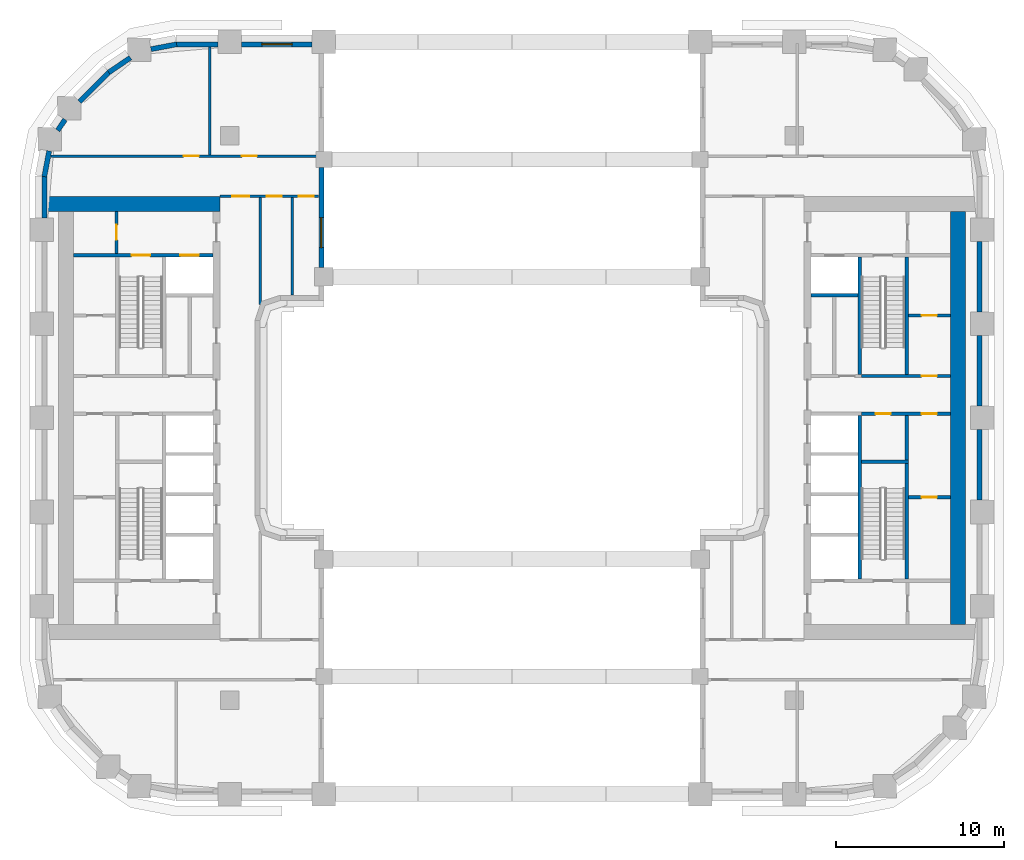
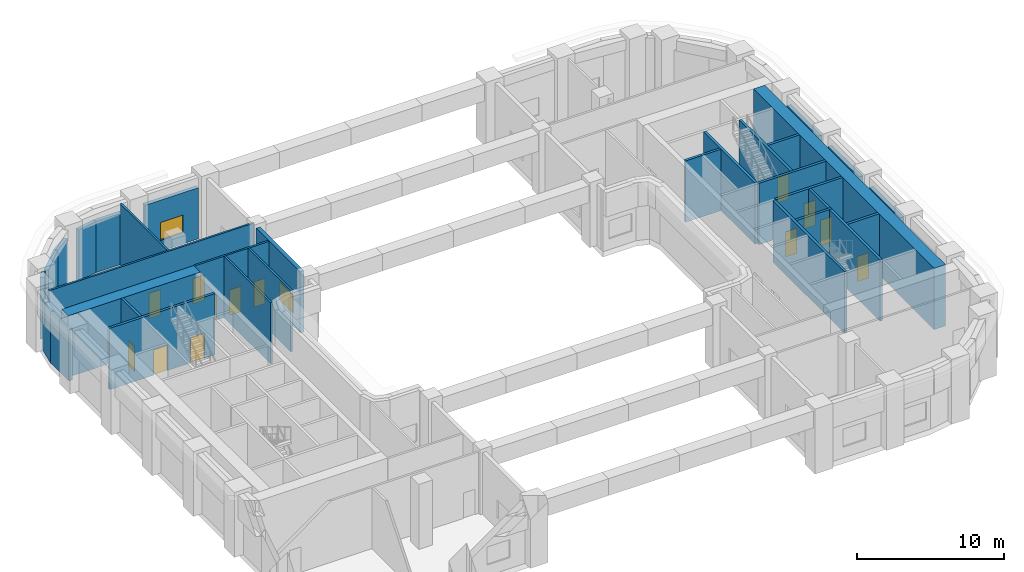
# One storey, part 5 of 14: 32 walls, 13 doors, 2 windows, 15 openings.
"""IFC4 building model written with IfcOpenShell, lengths in metres."""

import ifcopenshell
import ifcopenshell.guid

model = None  # the IFC model being written
_history = None  # IfcOwnerHistory: only IFC2X3 demands one
_inside = {}  # id of a spatial element -> (the spatial element, [elements in it])
_under = {}  # id of a project, library or spatial element -> (it, [spatial elements below it])
_declared = {}  # id of a project -> (the project, [libraries it declares])
_typed = {}  # id of a type object -> (the type object, [elements of that type])
_made_of = {}  # id of a material, layer set ... -> (it, [elements and type objects made of it])


def new_model(schema):
    """Start an empty IFC model of exactly this schema.

    Asked for "IFC4X3", IfcOpenShell would pick the latest addendum, in which some entities
    have other attributes; the version numbers below select the first issue.
    IFC2X3 requires an IfcOwnerHistory on every rooted entity: one is made here for all.
    """
    global model, _history
    if schema == "IFC4X3":
        model = ifcopenshell.file(schema_version=(4, 3, 0, 0))
    else:
        model = ifcopenshell.file(schema=schema)
    _inside.clear()
    _under.clear()
    _declared.clear()
    _typed.clear()
    _made_of.clear()
    _history = None
    if model.schema == "IFC2X3":
        org = make("IfcOrganization", Name="unknown")
        user = make(
            "IfcPersonAndOrganization",
            ThePerson=make("IfcPerson", FamilyName="unknown"),
            TheOrganization=org,
        )
        app = make(
            "IfcApplication",
            ApplicationDeveloper=org,
            Version="unknown",
            ApplicationFullName="unknown",
            ApplicationIdentifier="unknown",
        )
        _history = make(
            "IfcOwnerHistory",
            OwningUser=user,
            OwningApplication=app,
            ChangeAction="ADDED",
            CreationDate=0,
        )
    return model


def make(cls, **values):
    """One entity of the class cls with the attributes given. An attribute that is None is left unset."""
    return model.create_entity(
        cls, **{name: value for name, value in values.items() if value is not None}
    )


def rooted(cls, **values):
    """An entity with a GlobalId (a new one), such as an element, a storey or a relation."""
    return make(cls, GlobalId=ifcopenshell.guid.new(), OwnerHistory=_history, **values)


def si_unit(unit_type, name, prefix=None):
    """IfcSIUnit, for example si_unit("LENGTHUNIT", "METRE", prefix="MILLI")."""
    return make("IfcSIUnit", UnitType=unit_type, Prefix=prefix, Name=name)


def assignment(units):
    """IfcUnitAssignment: the units of a project."""
    return None if units is None else make("IfcUnitAssignment", Units=units)


def point(xyz):
    """IfcCartesianPoint."""
    return None if xyz is None else make("IfcCartesianPoint", Coordinates=xyz)


def direction(xyz):
    """IfcDirection."""
    return None if xyz is None else make("IfcDirection", DirectionRatios=xyz)


def frame(location, z_axis=None, x_axis=None):
    """IfcAxis2Placement3D, a coordinate frame: its origin and axes. An axis left out is left unset."""
    return make(
        "IfcAxis2Placement3D",
        Location=point(location),
        Axis=direction(z_axis),
        RefDirection=direction(x_axis),
    )


def frame_2d(location, x_axis=None):
    """IfcAxis2Placement2D, a coordinate frame in the plane: its origin and x axis."""
    return make(
        "IfcAxis2Placement2D", Location=point(location), RefDirection=direction(x_axis)
    )


def origin():
    """The frame at (0, 0, 0) with its axes left unset."""
    return frame((0.0, 0.0, 0.0))


def place(relative_to, where):
    """IfcLocalPlacement: puts the frame where relative to a parent placement (None: the world)."""
    return make(
        "IfcLocalPlacement", PlacementRelTo=relative_to, RelativePlacement=where
    )


def context(
    kind, dimensions, precision=None, world=None, true_north=None, identifier=None
):
    """IfcGeometricRepresentationContext, for example the 3D "Model" context."""
    return make(
        "IfcGeometricRepresentationContext",
        ContextIdentifier=identifier,
        ContextType=kind,
        CoordinateSpaceDimension=dimensions,
        Precision=precision,
        WorldCoordinateSystem=world,
        TrueNorth=true_north,
    )


def subcontext(parent, identifier, kind, view, scale=None):
    """IfcGeometricRepresentationSubContext, for example "Body" below "Model"."""
    return make(
        "IfcGeometricRepresentationSubContext",
        ContextIdentifier=identifier,
        ContextType=kind,
        ParentContext=parent,
        TargetScale=scale,
        TargetView=view,
    )


def project(units=None, contexts=None):
    """IfcProject with its units and contexts."""
    return rooted(
        "IfcProject",
        Name="project",
        RepresentationContexts=contexts,
        UnitsInContext=assignment(units),
    )


def spatial(cls, under=None, at=None, **own):
    """A site, building, storey or space (cls), placed at a placement, below another one or the project."""
    s = rooted(cls, ObjectPlacement=at, **own)
    if under is not None:
        _under.setdefault(under.id(), (under, []))[1].append(s)
    return s


def profile(cls, at=None, kind="AREA", **sizes):
    """A parametric profile (cls). Its sizes go by their IFC names, for example OverallWidth=200.0."""
    return make(cls, ProfileType=kind, Position=at, **sizes)


def rectangle(**sizes):
    """IfcRectangleProfileDef."""
    return profile("IfcRectangleProfileDef", **sizes)


def extrude(swept, where, along, depth):
    """IfcExtrudedAreaSolid: the profile swept, set in the frame where, extruded along a direction by depth."""
    return make(
        "IfcExtrudedAreaSolid",
        SweptArea=swept,
        Position=where,
        ExtrudedDirection=direction(along),
        Depth=depth,
    )


def shape(context_of_items, identifier, shape_type, items):
    """IfcShapeRepresentation: the items that make up one representation, for example the "Body"."""
    return make(
        "IfcShapeRepresentation",
        ContextOfItems=context_of_items,
        RepresentationIdentifier=identifier,
        RepresentationType=shape_type,
        Items=items,
    )


def material(Name=None, Category=None):
    """IfcMaterial."""
    return make("IfcMaterial", Name=Name, Category=Category)


def layer(
    of_material, thickness, ventilated=None, Name=None, Category=None, Priority=None
):
    """IfcMaterialLayer: one layer of a wall or slab, of a material (None: an air gap)."""
    return make(
        "IfcMaterialLayer",
        Material=of_material,
        LayerThickness=thickness,
        IsVentilated=ventilated,
        Name=Name,
        Category=Category,
        Priority=Priority,
    )


def layer_set(layers, Name=None):
    """IfcMaterialLayerSet."""
    return make("IfcMaterialLayerSet", MaterialLayers=layers, LayerSetName=Name)


def made_of(thing, what):
    """Note that an element or type object is made of a material, layer set ...; save() writes the relation."""
    if what is not None:
        _made_of.setdefault(what.id(), (what, []))[1].append(thing)
    return thing


def type_object(cls, material=None, **own):
    """A type object (cls), such as IfcWallType, which elements share."""
    return made_of(rooted(cls, **own), material)


def element(
    cls,
    number,
    at=None,
    inside=None,
    cuts=None,
    type_object=None,
    material=None,
    context=None,
    identifier="Body",
    shape_type=None,
    held_by="IfcProductDefinitionShape",
    body=None,
    shapes=None,
    **own,
):
    """One element of the class cls, such as IfcWall. Its Tag is "e" and its number.

    at: its placement. inside: the storey or other place that contains it. cuts: it is an
    opening in that element (IfcRelVoidsElement). A single representation is given by context,
    identifier, shape_type and body (its items); several are given by shapes. held_by: the class
    of the entity that holds the representations. save() writes the other relations.
    """
    e = rooted(cls, Tag="e%d" % number, ObjectPlacement=at, **own)
    if body is not None:
        shapes = [shape(context, identifier, shape_type, body)]
    if shapes is not None:
        e.Representation = make(held_by, Representations=shapes)
    if inside is not None:
        _inside.setdefault(inside.id(), (inside, []))[1].append(e)
    if cuts is not None:
        rooted(
            "IfcRelVoidsElement", RelatingBuildingElement=cuts, RelatedOpeningElement=e
        )
    if type_object is not None:
        _typed.setdefault(type_object.id(), (type_object, []))[1].append(e)
    return made_of(e, material)


def fill(opening, filler):
    """IfcRelFillsElement: the door or window that sits in an opening."""
    return rooted(
        "IfcRelFillsElement",
        RelatingOpeningElement=opening,
        RelatedBuildingElement=filler,
    )


def aggregate(whole, parts):
    """IfcRelAggregates: a whole, such as a stair, and the parts it consists of."""
    return rooted("IfcRelAggregates", RelatingObject=whole, RelatedObjects=parts)


def save(model, path):
    """Write the relations noted so far, then the file.

    IfcRelAggregates (storeys below a building ...), IfcRelContainedInSpatialStructure (elements
    in a storey), IfcRelDefinesByType, IfcRelAssociatesMaterial and IfcRelDeclares: one each for
    every whole, place, type object, material and project.
    """
    for whole, parts in _under.values():
        aggregate(whole, parts)
    for where, things in _inside.values():
        rooted(
            "IfcRelContainedInSpatialStructure",
            RelatedElements=things,
            RelatingStructure=where,
        )
    for kind, things in _typed.values():
        rooted("IfcRelDefinesByType", RelatedObjects=things, RelatingType=kind)
    for what, things in _made_of.values():
        rooted("IfcRelAssociatesMaterial", RelatedObjects=things, RelatingMaterial=what)
    for by, libraries in _declared.values():
        rooted("IfcRelDeclares", RelatingContext=by, RelatedDefinitions=libraries)
    model.write(path)


model = new_model("IFC4")

# Units and contexts
model_context = context("Model", 3, precision=1e-05, world=origin(), true_north=direction((0.0, 1.0)))
body_context = subcontext(model_context, "Body", "Model", "MODEL_VIEW")
ifc_project = project(units=[si_unit("LENGTHUNIT", "METRE"), si_unit("AREAUNIT", "SQUARE_METRE"), si_unit("VOLUMEUNIT", "CUBIC_METRE"), si_unit("PLANEANGLEUNIT", "RADIAN"), si_unit("MASSUNIT", "GRAM", prefix="KILO")], contexts=[model_context])

# Site, building, storey
site_placement = place(None, origin())
site = spatial("IfcSite", under=ifc_project, at=site_placement, CompositionType="ELEMENT")
building_placement = place(site_placement, origin())
building = spatial("IfcBuilding", under=site, at=building_placement, Name="Kiln Ring Residences", CompositionType="ELEMENT")
storey_placement = place(building_placement, frame((0.0, 0.0, 77.89990234375)))
storey = spatial("IfcBuildingStorey", under=building, at=storey_placement, Name="L19", CompositionType="ELEMENT", Elevation=77.89990234375)

# Wall, opening, door
ifc_material_1 = material(Name="Gypsum board on steel studs", Category="steel")
ifc_layer_1 = layer(ifc_material_1, 0.199951171875)
ifc_layer_set_1 = layer_set([ifc_layer_1], Name="CORE-PARTITION-200")
wall_type_1 = type_object("IfcWallType", Name="CORE-PARTITION-200", PredefinedType="PARTITIONING", material=ifc_layer_set_1)
wall_1_placement = place(storey_placement, frame((-23.550048828125, 9.800048828125, 0.0), z_axis=(0.0, 0.0, 1.0), x_axis=(0.0, 1.0, 0.0)))
wall_1 = element("IfcWall", 1, at=wall_1_placement, inside=storey, type_object=wall_type_1, Name="Core partition west L19 4", PredefinedType="PARTITIONING", context=body_context, shape_type="SweptSolid", body=[
    extrude(rectangle(XDim=2.5, YDim=0.199951171875, at=frame_2d((1.25, 0.0))), origin(), (0.0, 0.0, 1.0), 5.10009765625),
])
opening_1_placement = place(wall_1_placement, frame((0.800048828125, 0.0, 0.0)))
opening_1 = element("IfcOpeningElement", 2, at=opening_1_placement, cuts=wall_1, Name="Opening L19-CW10", PredefinedType="OPENING", context=body_context, shape_type="SweptSolid", body=[
    extrude(rectangle(XDim=0.89990234375, YDim=2.10009765625, at=frame_2d((0.449951171875, 1.050048828125))), frame((0.0, 0.10986328125, 0.0), z_axis=(0.0, -1.0, 0.0), x_axis=(1.0, 0.0, 0.0)), (0.0, 0.0, 1.0), 0.219970703125),
])
ifc_material_2 = material(Name="Steel door leaf", Category="steel")
door_type_1 = type_object("IfcDoorType", Name="CORE-DOOR-ROOM", OperationType="SINGLE_SWING_LEFT", PredefinedType="DOOR", material=ifc_material_2)
door_1_placement = place(opening_1_placement, origin())
door_1 = element("IfcDoor", 3, at=door_1_placement, inside=storey, type_object=door_type_1, Name="Fire riser room L19-CW10", OperationType="SINGLE_SWING_RIGHT", OverallHeight=2.10009765625, OverallWidth=0.89990234375, PredefinedType="DOOR", context=body_context, shape_type="SweptSolid", body=[
    extrude(rectangle(XDim=0.89990234375, YDim=2.10009765625, at=frame_2d((0.449951171875, 1.050048828125))), frame((0.0, 0.02490234375, 0.0), z_axis=(0.0, -1.0, 0.0), x_axis=(1.0, 0.0, 0.0)), (0.0, 0.0, 1.0), 0.050048828125),
])
fill(opening_1, door_1)

# Wall
wall_2_placement = place(storey_placement, frame((23.5, -2.5, 0.0), z_axis=(0.0, 0.0, 1.0), x_axis=(0.0, 1.0, 0.0)))
element("IfcWall", 4, at=wall_2_placement, inside=storey, type_object=wall_type_1, Name="Core partition east L19 1", PredefinedType="PARTITIONING", context=body_context, shape_type="SweptSolid", body=[
    extrude(rectangle(XDim=2.64990234375, YDim=0.199951171875, at=frame_2d((1.324951171875, 0.0))), origin(), (0.0, 0.0, 1.0), 5.10009765625),
])

# Wall, openings, doors
wall_3_placement = place(storey_placement, frame((20.800048828125, 0.25, 0.0), z_axis=(0.0, 0.0, 1.0), x_axis=(1.0, 0.0, 0.0)))
wall_3 = element("IfcWall", 5, at=wall_3_placement, inside=storey, type_object=wall_type_1, Name="Core partition east L19 2", PredefinedType="PARTITIONING", context=body_context, shape_type="SweptSolid", body=[
    extrude(rectangle(XDim=5.300048828125, YDim=0.199951171875, at=frame_2d((2.64990234375, 0.0))), origin(), (0.0, 0.0, 1.0), 5.10009765625),
])
opening_2_placement = place(wall_3_placement, frame((0.85009765625, 0.0, 0.0)))
opening_2 = element("IfcOpeningElement", 6, at=opening_2_placement, cuts=wall_3, Name="Opening L19-CE15", PredefinedType="OPENING", context=body_context, shape_type="SweptSolid", body=[
    extrude(rectangle(XDim=0.89990234375, YDim=2.10009765625, at=frame_2d((0.449951171875, 1.050048828125))), frame((0.0, 0.10986328125, 0.0), z_axis=(0.0, -1.0, 0.0), x_axis=(1.0, 0.0, 0.0)), (0.0, 0.0, 1.0), 0.219970703125),
])
opening_3_placement = place(wall_3_placement, frame((3.60009765625, 0.0, 0.0)))
opening_3 = element("IfcOpeningElement", 7, at=opening_3_placement, cuts=wall_3, Name="Opening L19-CE17", PredefinedType="OPENING", context=body_context, shape_type="SweptSolid", body=[
    extrude(rectangle(XDim=0.89990234375, YDim=2.10009765625, at=frame_2d((0.449951171875, 1.050048828125))), frame((0.0, 0.10986328125, 0.0), z_axis=(0.0, -1.0, 0.0), x_axis=(1.0, 0.0, 0.0)), (0.0, 0.0, 1.0), 0.219970703125),
])
door_2_placement = place(opening_2_placement, origin())
door_2 = element("IfcDoor", 8, at=door_2_placement, inside=storey, type_object=door_type_1, Name="Comms room L19-CE15", OperationType="SINGLE_SWING_RIGHT", OverallHeight=2.10009765625, OverallWidth=0.89990234375, PredefinedType="DOOR", context=body_context, shape_type="SweptSolid", body=[
    extrude(rectangle(XDim=0.89990234375, YDim=2.10009765625, at=frame_2d((0.449951171875, 1.050048828125))), frame((0.0, 0.02490234375, 0.0), z_axis=(0.0, -1.0, 0.0), x_axis=(1.0, 0.0, 0.0)), (0.0, 0.0, 1.0), 0.050048828125),
])
fill(opening_2, door_2)
door_3_placement = place(opening_3_placement, origin())
door_3 = element("IfcDoor", 9, at=door_3_placement, inside=storey, type_object=door_type_1, Name="Meter room L19-CE17", OperationType="SINGLE_SWING_RIGHT", OverallHeight=2.10009765625, OverallWidth=0.89990234375, PredefinedType="DOOR", context=body_context, shape_type="SweptSolid", body=[
    extrude(rectangle(XDim=0.89990234375, YDim=2.10009765625, at=frame_2d((0.449951171875, 1.050048828125))), frame((0.0, 0.02490234375, 0.0), z_axis=(0.0, -1.0, 0.0), x_axis=(1.0, 0.0, 0.0)), (0.0, 0.0, 1.0), 0.050048828125),
])
fill(opening_3, door_3)

# Wall, opening, door
wall_4_placement = place(storey_placement, frame((23.60009765625, -4.72509765625, 0.0), z_axis=(0.0, 0.0, 1.0), x_axis=(1.0, 0.0, 0.0)))
wall_4 = element("IfcWall", 10, at=wall_4_placement, inside=storey, type_object=wall_type_1, Name="Core partition east L19 6", PredefinedType="PARTITIONING", context=body_context, shape_type="SweptSolid", body=[
    extrude(rectangle(XDim=2.5, YDim=0.199951171875, at=frame_2d((1.25, 0.0))), origin(), (0.0, 0.0, 1.0), 5.10009765625),
])
opening_4_placement = place(wall_4_placement, frame((0.800048828125, 0.0, 0.0)))
opening_4 = element("IfcOpeningElement", 11, at=opening_4_placement, cuts=wall_4, Name="Opening L19-CE16", PredefinedType="OPENING", context=body_context, shape_type="SweptSolid", body=[
    extrude(rectangle(XDim=0.89990234375, YDim=2.10009765625, at=frame_2d((0.449951171875, 1.050048828125))), frame((0.0, 0.10986328125, 0.0), z_axis=(0.0, -1.0, 0.0), x_axis=(1.0, 0.0, 0.0)), (0.0, 0.0, 1.0), 0.219970703125),
])
door_4_placement = place(opening_4_placement, origin())
door_4 = element("IfcDoor", 12, at=door_4_placement, inside=storey, type_object=door_type_1, Name="Meter room L19-CE16", OperationType="SINGLE_SWING_RIGHT", OverallHeight=2.10009765625, OverallWidth=0.89990234375, PredefinedType="DOOR", context=body_context, shape_type="SweptSolid", body=[
    extrude(rectangle(XDim=0.89990234375, YDim=2.10009765625, at=frame_2d((0.449951171875, 1.050048828125))), frame((0.0, 0.02490234375, 0.0), z_axis=(0.0, -1.0, 0.0), x_axis=(1.0, 0.0, 0.0)), (0.0, 0.0, 1.0), 0.050048828125),
])
fill(opening_4, door_4)

wall_5_placement = place(storey_placement, frame((23.60009765625, 6.10009765625, 0.0), z_axis=(0.0, 0.0, 1.0), x_axis=(1.0, 0.0, 0.0)))
wall_5 = element("IfcWall", 13, at=wall_5_placement, inside=storey, type_object=wall_type_1, Name="Core partition east L19 7", PredefinedType="PARTITIONING", context=body_context, shape_type="SweptSolid", body=[
    extrude(rectangle(XDim=2.5, YDim=0.199951171875, at=frame_2d((1.25, 0.0))), origin(), (0.0, 0.0, 1.0), 5.10009765625),
])
opening_5_placement = place(wall_5_placement, frame((0.800048828125, 0.0, 0.0)))
opening_5 = element("IfcOpeningElement", 14, at=opening_5_placement, cuts=wall_5, Name="Opening L19-CE18", PredefinedType="OPENING", context=body_context, shape_type="SweptSolid", body=[
    extrude(rectangle(XDim=0.89990234375, YDim=2.10009765625, at=frame_2d((0.449951171875, 1.050048828125))), frame((0.0, 0.10986328125, 0.0), z_axis=(0.0, -1.0, 0.0), x_axis=(1.0, 0.0, 0.0)), (0.0, 0.0, 1.0), 0.219970703125),
])
door_5_placement = place(opening_5_placement, origin())
door_5 = element("IfcDoor", 15, at=door_5_placement, inside=storey, type_object=door_type_1, Name="Comms room L19-CE18", OperationType="SINGLE_SWING_RIGHT", OverallHeight=2.10009765625, OverallWidth=0.89990234375, PredefinedType="DOOR", context=body_context, shape_type="SweptSolid", body=[
    extrude(rectangle(XDim=0.89990234375, YDim=2.10009765625, at=frame_2d((0.449951171875, 1.050048828125))), frame((0.0, 0.02490234375, 0.0), z_axis=(0.0, -1.0, 0.0), x_axis=(1.0, 0.0, 0.0)), (0.0, 0.0, 1.0), 0.050048828125),
])
fill(opening_5, door_5)

# Wall
ifc_material_3 = material(Name="Gypsum shaft wall system")
ifc_layer_2 = layer(ifc_material_3, 0.199951171875)
ifc_layer_set_2 = layer_set([ifc_layer_2], Name="CORE-SHAFT-WALL-200")
wall_type_2 = type_object("IfcWallType", Name="CORE-SHAFT-WALL-200", PredefinedType="PARTITIONING", material=ifc_layer_set_2)
wall_6_placement = place(storey_placement, frame((17.800048828125, 7.300048828125, 0.0), z_axis=(0.0, 0.0, 1.0), x_axis=(1.0, 0.0, 0.0)))
element("IfcWall", 16, at=wall_6_placement, inside=storey, type_object=wall_type_2, Name="Core partition east L19 13", PredefinedType="PARTITIONING", context=body_context, shape_type="SweptSolid", body=[
    extrude(rectangle(XDim=2.800048828125, YDim=0.199951171875, at=frame_2d((1.39990234375, 0.0))), origin(), (0.0, 0.0, 1.0), 5.10009765625),
])

# Wall, openings, doors
ifc_material_4 = material(Name="Concrete C40/50", Category="concrete")
ifc_layer_3 = layer(ifc_material_4, 0.199951171875)
ifc_layer_set_3 = layer_set([ifc_layer_3], Name="CORE-WALL-RC200")
wall_type_3 = type_object("IfcWallType", Name="CORE-WALL-RC200", PredefinedType="SHEAR", material=ifc_layer_set_3)
wall_7_placement = place(storey_placement, frame((-17.800048828125, 9.699951171875, 0.0), z_axis=(0.0, 0.0, 1.0), x_axis=(-1.0, 0.0, 0.0)))
wall_7 = element("IfcWall", 17, at=wall_7_placement, inside=storey, type_object=wall_type_3, Name="Core wall west L19 9", PredefinedType="SHEAR", context=body_context, shape_type="SweptSolid", body=[
    extrude(rectangle(XDim=8.300048828125, YDim=0.199951171875, at=frame_2d((4.14990234375, 0.0))), origin(), (0.0, 0.0, 1.0), 5.10009765625),
])
opening_6_placement = place(wall_7_placement, frame((0.85009765625, 0.0, 0.0)))
opening_6 = element("IfcOpeningElement", 18, at=opening_6_placement, cuts=wall_7, Name="Opening L19-CW07", PredefinedType="OPENING", context=body_context, shape_type="SweptSolid", body=[
    extrude(rectangle(XDim=1.10009765625, YDim=2.10009765625, at=frame_2d((0.550048828125, 1.050048828125))), frame((0.0, 0.10986328125, 0.0), z_axis=(0.0, -1.0, 0.0), x_axis=(1.0, 0.0, 0.0)), (0.0, 0.0, 1.0), 0.219970703125),
])
opening_7_placement = place(wall_7_placement, frame((3.75, 0.0, 0.0)))
opening_7 = element("IfcOpeningElement", 19, at=opening_7_placement, cuts=wall_7, Name="Opening L19-CW12", PredefinedType="OPENING", context=body_context, shape_type="SweptSolid", body=[
    extrude(rectangle(XDim=1.10009765625, YDim=2.10009765625, at=frame_2d((0.550048828125, 1.050048828125))), frame((0.0, 0.10986328125, 0.0), z_axis=(0.0, -1.0, 0.0), x_axis=(1.0, 0.0, 0.0)), (0.0, 0.0, 1.0), 0.219970703125),
])
ifc_material_5 = material(Name="Steel door leaf", Category="steel")
door_type_2 = type_object("IfcDoorType", Name="CORE-DOOR-LD", OperationType="DOUBLE_DOOR_SLIDING", PredefinedType="DOOR", material=ifc_material_5)
door_6_placement = place(opening_6_placement, origin())
door_6 = element("IfcDoor", 20, at=door_6_placement, inside=storey, type_object=door_type_2, Name="LD W-FF L19-CW07", OperationType="DOUBLE_DOOR_SLIDING", OverallHeight=2.10009765625, OverallWidth=1.10009765625, PredefinedType="DOOR", context=body_context, shape_type="SweptSolid", body=[
    extrude(rectangle(XDim=1.10009765625, YDim=2.10009765625, at=frame_2d((0.550048828125, 1.050048828125))), frame((0.0, 0.02490234375, 0.0), z_axis=(0.0, -1.0, 0.0), x_axis=(1.0, 0.0, 0.0)), (0.0, 0.0, 1.0), 0.050048828125),
])
fill(opening_6, door_6)
ifc_material_6 = material(Name="Steel door leaf", Category="steel")
door_type_3 = type_object("IfcDoorType", Name="CORE-DOOR-STAIR", OperationType="SINGLE_SWING_LEFT", PredefinedType="DOOR", material=ifc_material_6)
door_7_placement = place(opening_7_placement, origin())
door_7 = element("IfcDoor", 21, at=door_7_placement, inside=storey, type_object=door_type_3, Name="Stair W-STN L19-CW12", OperationType="SINGLE_SWING_RIGHT", OverallHeight=2.10009765625, OverallWidth=1.10009765625, PredefinedType="DOOR", context=body_context, shape_type="SweptSolid", body=[
    extrude(rectangle(XDim=1.10009765625, YDim=2.10009765625, at=frame_2d((0.550048828125, 1.050048828125))), frame((0.0, 0.02490234375, 0.0), z_axis=(0.0, -1.0, 0.0), x_axis=(1.0, 0.0, 0.0)), (0.0, 0.0, 1.0), 0.050048828125),
])
fill(opening_7, door_7)

# Walls
wall_8_placement = place(storey_placement, frame((20.699951171875, 2.60009765625, 0.0), z_axis=(0.0, 0.0, 1.0), x_axis=(0.0, 1.0, 0.0)))
element("IfcWall", 22, at=wall_8_placement, inside=storey, type_object=wall_type_3, Name="Core wall east L19 1", PredefinedType="SHEAR", context=body_context, shape_type="SweptSolid", body=[
    extrude(rectangle(XDim=7.0, YDim=0.199951171875, at=frame_2d((3.5, 0.0))), origin(), (0.0, 0.0, 1.0), 5.10009765625),
])
wall_9_placement = place(storey_placement, frame((20.699951171875, -9.60009765625, 0.0), z_axis=(0.0, 0.0, 1.0), x_axis=(0.0, 1.0, 0.0)))
element("IfcWall", 23, at=wall_9_placement, inside=storey, type_object=wall_type_3, Name="Core wall east L19 2", PredefinedType="SHEAR", context=body_context, shape_type="SweptSolid", body=[
    extrude(rectangle(XDim=9.75, YDim=0.199951171875, at=frame_2d((4.875, 0.0))), origin(), (0.0, 0.0, 1.0), 5.10009765625),
])

# Wall, opening, door
wall_10_placement = place(storey_placement, frame((20.800048828125, 2.5, 0.0), z_axis=(0.0, 0.0, 1.0), x_axis=(1.0, 0.0, 0.0)))
wall_10 = element("IfcWall", 24, at=wall_10_placement, inside=storey, type_object=wall_type_3, Name="Core wall east L19 3", PredefinedType="SHEAR", context=body_context, shape_type="SweptSolid", body=[
    extrude(rectangle(XDim=5.300048828125, YDim=0.199951171875, at=frame_2d((2.64990234375, 0.0))), origin(), (0.0, 0.0, 1.0), 5.10009765625),
])
opening_8_placement = place(wall_10_placement, frame((3.60009765625, 0.0, 0.0)))
opening_8 = element("IfcOpeningElement", 25, at=opening_8_placement, cuts=wall_10, Name="Opening L19-CE19", PredefinedType="OPENING", context=body_context, shape_type="SweptSolid", body=[
    extrude(rectangle(XDim=0.89990234375, YDim=2.10009765625, at=frame_2d((0.449951171875, 1.050048828125))), frame((0.0, 0.10986328125, 0.0), z_axis=(0.0, -1.0, 0.0), x_axis=(1.0, 0.0, 0.0)), (0.0, 0.0, 1.0), 0.219970703125),
])
door_8_placement = place(opening_8_placement, origin())
door_8 = element("IfcDoor", 26, at=door_8_placement, inside=storey, type_object=door_type_1, Name="Electrical plant room L19-CE19", OperationType="SINGLE_SWING_LEFT", OverallHeight=2.10009765625, OverallWidth=0.89990234375, PredefinedType="DOOR", context=body_context, shape_type="SweptSolid", body=[
    extrude(rectangle(XDim=0.89990234375, YDim=2.10009765625, at=frame_2d((0.449951171875, 1.050048828125))), frame((0.0, 0.02490234375, 0.0), z_axis=(0.0, -1.0, 0.0), x_axis=(1.0, 0.0, 0.0)), (0.0, 0.0, 1.0), 0.050048828125),
])
fill(opening_8, door_8)

# Walls
wall_11_placement = place(storey_placement, frame((23.5, 2.60009765625, 0.0), z_axis=(0.0, 0.0, 1.0), x_axis=(0.0, 1.0, 0.0)))
element("IfcWall", 27, at=wall_11_placement, inside=storey, type_object=wall_type_3, Name="Core wall east L19 10", PredefinedType="SHEAR", context=body_context, shape_type="SweptSolid", body=[
    extrude(rectangle(XDim=7.0, YDim=0.199951171875, at=frame_2d((3.5, 0.0))), origin(), (0.0, 0.0, 1.0), 5.10009765625),
])
wall_12_placement = place(storey_placement, frame((23.5, -9.60009765625, 0.0), z_axis=(0.0, 0.0, 1.0), x_axis=(0.0, 1.0, 0.0)))
element("IfcWall", 28, at=wall_12_placement, inside=storey, type_object=wall_type_3, Name="Core wall east L19 11", PredefinedType="SHEAR", context=body_context, shape_type="SweptSolid", body=[
    extrude(rectangle(XDim=6.900146484375, YDim=0.199951171875, at=frame_2d((3.4501953125, 0.0))), origin(), (0.0, 0.0, 1.0), 5.10009765625),
])
wall_13_placement = place(storey_placement, frame((20.800048828125, -2.60009765625, 0.0), z_axis=(0.0, 0.0, 1.0), x_axis=(1.0, 0.0, 0.0)))
element("IfcWall", 29, at=wall_13_placement, inside=storey, type_object=wall_type_3, Name="Core wall east L19 12", PredefinedType="SHEAR", context=body_context, shape_type="SweptSolid", body=[
    extrude(rectangle(XDim=2.800048828125, YDim=0.199951171875, at=frame_2d((1.39990234375, 0.0))), origin(), (0.0, 0.0, 1.0), 5.10009765625),
])
ifc_material_7 = material(Name="Concrete C60/75", Category="concrete")
ifc_layer_4 = layer(ifc_material_7, 0.89990234375)
ifc_layer_set_4 = layer_set([ifc_layer_4], Name="CORE-WALL-RC900")
wall_type_4 = type_object("IfcWallType", Name="CORE-WALL-RC900", PredefinedType="SHEAR", material=ifc_layer_set_4)
wall_14_placement = place(storey_placement, frame((-17.39990234375, 12.75, 0.0), z_axis=(0.0, 0.0, 1.0), x_axis=(-1.0, 0.0, 0.0)))
element("IfcWall", 30, at=wall_14_placement, inside=storey, type_object=wall_type_4, Name="Core wall west L19 4", PredefinedType="SHEAR", context=body_context, shape_type="SweptSolid", body=[
    extrude(rectangle(XDim=10.400146484375, YDim=0.89990234375, at=frame_2d((5.2001953125, 0.0))), origin(), (0.0, 0.0, 1.0), 5.10009765625),
])
wall_15_placement = place(storey_placement, frame((26.550048828125, -12.300048828125, 0.0), z_axis=(0.0, 0.0, 1.0), x_axis=(0.0, 1.0, 0.0)))
element("IfcWall", 31, at=wall_15_placement, inside=storey, type_object=wall_type_4, Name="Core wall east L19 7", PredefinedType="SHEAR", context=body_context, shape_type="SweptSolid", body=[
    extrude(rectangle(XDim=24.60009765625, YDim=0.89990234375, at=frame_2d((12.300048828125, 0.0))), origin(), (0.0, 0.0, 1.0), 5.10009765625),
])

# Wall, opening, window
ifc_material_8 = material(Name="Brick masonry, dark clay brick", Category="masonry")
ifc_layer_5 = layer(ifc_material_8, 0.300048828125)
ifc_layer_set_5 = layer_set([ifc_layer_5], Name="EW-300 BRICK WALL")
wall_type_5 = type_object("IfcWallType", Name="EW-300 BRICK WALL", PredefinedType="SOLIDWALL", material=ifc_layer_set_5)
wall_16_placement = place(storey_placement, frame((-11.35009765625, 8.949951171875, 0.0), z_axis=(0.0, 0.0, 1.0), x_axis=(0.0, 1.0, 0.0)))
wall_16 = element("IfcWall", 32, at=wall_16_placement, inside=storey, type_object=wall_type_5, Name="Facade wall L19 15", PredefinedType="SOLIDWALL", context=body_context, shape_type="SweptSolid", body=[
    extrude(rectangle(XDim=5.97509765625, YDim=0.300048828125, at=frame_2d((2.987548828125, 0.0))), origin(), (0.0, 0.0, 1.0), 5.10009765625),
])
opening_9_placement = place(wall_16_placement, frame((1.1875, 0.0, 0.89990234375)))
opening_9 = element("IfcOpeningElement", 33, at=opening_9_placement, cuts=wall_16, Name="Opening LV1", PredefinedType="OPENING", context=body_context, shape_type="SweptSolid", body=[
    extrude(rectangle(XDim=1.800048828125, YDim=1.5, at=frame_2d((0.89990234375, 0.75))), frame((0.0, 0.159912109375, 0.0), z_axis=(0.0, -1.0, 0.0), x_axis=(1.0, 0.0, 0.0)), (0.0, 0.0, 1.0), 0.320068359375),
])
ifc_material_9 = material(Name="Aluminium louvre", Category="aluminium")
window_type = type_object("IfcWindowType", Name="LOUVRED VENT 1800 x 1500", PartitioningType="SINGLE_PANEL", PredefinedType="WINDOW", material=ifc_material_9)
window_1_placement = place(opening_9_placement, origin())
window_1 = element("IfcWindow", 34, at=window_1_placement, inside=storey, type_object=window_type, Name="Louvred vent L19 6", OverallHeight=1.5, OverallWidth=1.800048828125, PartitioningType="SINGLE_PANEL", PredefinedType="WINDOW", context=body_context, shape_type="SweptSolid", body=[
    extrude(rectangle(XDim=1.800048828125, YDim=1.5, at=frame_2d((0.89990234375, 0.75))), frame((0.0, 0.030029296875, 0.0), z_axis=(0.0, -1.0, 0.0), x_axis=(1.0, 0.0, 0.0)), (0.0, 0.0, 1.0), 0.06005859375),
])
fill(opening_9, window_1)

wall_17_placement = place(storey_placement, frame((-11.89990234375, 22.25, 0.0), z_axis=(0.0, 0.0, 1.0), x_axis=(-1.0, 0.0, 0.0)))
wall_17 = element("IfcWall", 35, at=wall_17_placement, inside=storey, type_object=wall_type_5, Name="Facade wall L19 17", PredefinedType="SOLIDWALL", context=body_context, shape_type="SweptSolid", body=[
    extrude(rectangle(XDim=4.2001953125, YDim=0.300048828125, at=frame_2d((2.10009765625, 0.0))), origin(), (0.0, 0.0, 1.0), 4.25),
])
opening_10_placement = place(wall_17_placement, frame((1.199951171875, 0.0, 0.89990234375)))
opening_10 = element("IfcOpeningElement", 36, at=opening_10_placement, cuts=wall_17, Name="Opening LV1", PredefinedType="OPENING", context=body_context, shape_type="SweptSolid", body=[
    extrude(rectangle(XDim=1.800048828125, YDim=1.5, at=frame_2d((0.89990234375, 0.75))), frame((0.0, 0.159912109375, 0.0), z_axis=(0.0, -1.0, 0.0), x_axis=(1.0, 0.0, 0.0)), (0.0, 0.0, 1.0), 0.320068359375),
])
window_2_placement = place(opening_10_placement, origin())
window_2 = element("IfcWindow", 37, at=window_2_placement, inside=storey, type_object=window_type, Name="Louvred vent L19 8", OverallHeight=1.5, OverallWidth=1.800048828125, PartitioningType="SINGLE_PANEL", PredefinedType="WINDOW", context=body_context, shape_type="SweptSolid", body=[
    extrude(rectangle(XDim=1.800048828125, YDim=1.5, at=frame_2d((0.89990234375, 0.75))), frame((0.0, 0.030029296875, 0.0), z_axis=(0.0, -1.0, 0.0), x_axis=(1.0, 0.0, 0.0)), (0.0, 0.0, 1.0), 0.06005859375),
])
fill(opening_10, window_2)

# Walls
wall_18_placement = place(storey_placement, frame((-17.5, 22.25, 0.0), z_axis=(0.0, 0.0, 1.0), x_axis=(-1.0, 0.0, 0.0)))
element("IfcWall", 38, at=wall_18_placement, inside=storey, type_object=wall_type_5, Name="Facade wall L19 18", PredefinedType="SOLIDWALL", context=body_context, shape_type="SweptSolid", body=[
    extrude(rectangle(XDim=2.5, YDim=0.300048828125, at=frame_2d((1.25, 0.0))), origin(), (0.0, 0.0, 1.0), 4.25),
])
wall_19_placement = place(storey_placement, frame((-19.971923828125, 22.252685546875, 0.0), z_axis=(0.0, 0.0, 1.0), x_axis=(-0.982297345734, -0.187328386968, 0.0)))
element("IfcWall", 39, at=wall_19_placement, inside=storey, type_object=wall_type_5, Name="Facade wall L19 19", PredefinedType="SOLIDWALL", context=body_context, shape_type="SweptSolid", body=[
    extrude(rectangle(XDim=1.55615234375, YDim=0.300048828125, at=frame_2d((0.778076171875, 0.0))), origin(), (0.0, 0.0, 1.0), 4.25),
])
wall_20_placement = place(storey_placement, frame((-22.725830078125, 21.45361328125, 0.0), z_axis=(0.0, 0.0, 1.0), x_axis=(-0.827019875346, -0.562172683241, 0.0)))
element("IfcWall", 40, at=wall_20_placement, inside=storey, type_object=wall_type_5, Name="Facade wall L19 20", PredefinedType="SOLIDWALL", context=body_context, shape_type="SweptSolid", body=[
    extrude(rectangle(XDim=1.555908203125, YDim=0.300048828125, at=frame_2d((0.77783203125, 0.0))), origin(), (0.0, 0.0, 1.0), 4.25),
])
wall_21_placement = place(storey_placement, frame((-23.990966796875, 20.596923828125, 0.0), z_axis=(0.0, 0.0, 1.0), x_axis=(-0.707106781187, -0.707106781187, 0.0)))
element("IfcWall", 41, at=wall_21_placement, inside=storey, type_object=wall_type_5, Name="Facade wall L19 21", PredefinedType="SOLIDWALL", context=body_context, shape_type="SweptSolid", body=[
    extrude(rectangle(XDim=2.5, YDim=0.300048828125, at=frame_2d((1.25, 0.0))), origin(), (0.0, 0.0, 1.0), 4.25),
])
wall_22_placement = place(storey_placement, frame((-26.61669921875, 17.7685546875, 0.0), z_axis=(0.0, 0.0, 1.0), x_axis=(-0.562000651531, -0.827136788977, 0.0)))
element("IfcWall", 42, at=wall_22_placement, inside=storey, type_object=wall_type_5, Name="Facade wall L19 22", PredefinedType="SOLIDWALL", context=body_context, shape_type="SweptSolid", body=[
    extrude(rectangle(XDim=0.777099609375, YDim=0.300048828125, at=frame_2d((0.388671875, 0.0))), origin(), (0.0, 0.0, 1.0), 5.10009765625),
])
wall_23_placement = place(storey_placement, frame((-27.56103515625, 15.900390625, 0.0), z_axis=(0.0, 0.0, 1.0), x_axis=(-0.187328386968, -0.982297345734, 0.0)))
element("IfcWall", 43, at=wall_23_placement, inside=storey, type_object=wall_type_5, Name="Facade wall L19 23", PredefinedType="SOLIDWALL", context=body_context, shape_type="SweptSolid", body=[
    extrude(rectangle(XDim=1.55615234375, YDim=0.300048828125, at=frame_2d((0.778076171875, 0.0))), origin(), (0.0, 0.0, 1.0), 4.25),
])
wall_24_placement = place(storey_placement, frame((-27.85009765625, 14.39990234375, 0.0), z_axis=(0.0, 0.0, 1.0), x_axis=(0.0, -1.0, 0.0)))
element("IfcWall", 44, at=wall_24_placement, inside=storey, type_object=wall_type_5, Name="Facade wall L19 24", PredefinedType="SOLIDWALL", context=body_context, shape_type="SweptSolid", body=[
    extrude(rectangle(XDim=2.5, YDim=0.300048828125, at=frame_2d((1.25, 0.0))), origin(), (0.0, 0.0, 1.0), 4.25),
])
for number, where, z_axis, x_axis, name in (
    (45, (27.85009765625, -4.89990234375, 0.0), (0.0, 0.0, 1.0), (0.0, 1.0, 0.0), "Facade wall L19 43"),
    (46, (27.85009765625, 0.699951171875, 0.0), (0.0, 0.0, 1.0), (0.0, 1.0, 0.0), "Facade wall L19 44"),
    (47, (27.85009765625, 6.300048828125, 0.0), (0.0, 0.0, 1.0), (0.0, 1.0, 0.0), "Facade wall L19 45"),
):
    element("IfcWall", number, at=place(storey_placement, frame(where, z_axis=z_axis, x_axis=x_axis)), inside=storey, type_object=wall_type_5, Name=name, PredefinedType="SOLIDWALL", context=body_context, shape_type="SweptSolid", body=[
        extrude(rectangle(XDim=4.199951171875, YDim=0.300048828125, at=frame_2d((2.10009765625, 0.0))), origin(), (0.0, 0.0, 1.0), 4.25),
    ])

# Wall, openings, doors
ifc_material_10 = material(Name="Brick masonry partition", Category="masonry")
ifc_layer_6 = layer(ifc_material_10, 0.14990234375)
ifc_layer_set_6 = layer_set([ifc_layer_6], Name="PARTITION-150-ei60")
wall_type_6 = type_object("IfcWallType", Name="PARTITION-150-ei60", PredefinedType="PARTITIONING", material=ifc_layer_set_6)
wall_25_placement = place(storey_placement, frame((-17.39990234375, 13.199951171875, 0.0), z_axis=(0.0, 0.0, 1.0), x_axis=(1.0, 0.0, 0.0)))
wall_25 = element("IfcWall", 48, at=wall_25_placement, inside=storey, type_object=wall_type_6, Name="Partition 004", PredefinedType="PARTITIONING", context=body_context, shape_type="SweptSolid", body=[
    extrude(rectangle(XDim=5.8798828125, YDim=0.14990234375, at=frame_2d((2.93994140625, 0.0))), origin(), (0.0, 0.0, 1.0), 5.10009765625),
])
opening_11_placement = place(wall_25_placement, frame((0.75, 0.0, 0.0)))
opening_11 = element("IfcOpeningElement", 49, at=opening_11_placement, cuts=wall_25, Name="Opening L19-D005", PredefinedType="OPENING", context=body_context, shape_type="SweptSolid", body=[
    extrude(rectangle(XDim=1.0, YDim=2.10009765625, at=frame_2d((0.5, 1.050048828125))), frame((0.0, 0.0849609375, 0.0), z_axis=(0.0, -1.0, 0.0), x_axis=(1.0, 0.0, 0.0)), (0.0, 0.0, 1.0), 0.169921875),
])
opening_12_placement = place(wall_25_placement, frame((4.699951171875, 0.0, 0.0)))
opening_12 = element("IfcOpeningElement", 50, at=opening_12_placement, cuts=wall_25, Name="Opening L19-D006", PredefinedType="OPENING", context=body_context, shape_type="SweptSolid", body=[
    extrude(rectangle(XDim=0.89990234375, YDim=2.10009765625, at=frame_2d((0.449951171875, 1.050048828125))), frame((0.0, 0.0849609375, 0.0), z_axis=(0.0, -1.0, 0.0), x_axis=(1.0, 0.0, 0.0)), (0.0, 0.0, 1.0), 0.169921875),
])
opening_13_placement = place(wall_25_placement, frame((2.800048828125, 0.0, 0.0)))
opening_13 = element("IfcOpeningElement", 51, at=opening_13_placement, cuts=wall_25, Name="Opening L19-D007", PredefinedType="OPENING", context=body_context, shape_type="SweptSolid", body=[
    extrude(rectangle(XDim=0.89990234375, YDim=2.10009765625, at=frame_2d((0.449951171875, 1.050048828125))), frame((0.0, 0.0849609375, 0.0), z_axis=(0.0, -1.0, 0.0), x_axis=(1.0, 0.0, 0.0)), (0.0, 0.0, 1.0), 0.169921875),
])
ifc_material_11 = material(Name="Steel faced fire door leaf", Category="steel")
door_type_4 = type_object("IfcDoorType", Name="FLAT-DOOR-1000-FR", OperationType="SINGLE_SWING_LEFT", PredefinedType="DOOR", material=ifc_material_11)
door_9_placement = place(opening_11_placement, origin())
door_9 = element("IfcDoor", 52, at=door_9_placement, inside=storey, type_object=door_type_4, Name="Door L19-D005", OperationType="SINGLE_SWING_RIGHT", OverallHeight=2.10009765625, OverallWidth=1.0, PredefinedType="DOOR", context=body_context, shape_type="SweptSolid", body=[
    extrude(rectangle(XDim=1.0, YDim=2.10009765625, at=frame_2d((0.5, 1.050048828125))), frame((0.0, 0.02490234375, 0.0), z_axis=(0.0, -1.0, 0.0), x_axis=(1.0, 0.0, 0.0)), (0.0, 0.0, 1.0), 0.050048828125),
])
fill(opening_11, door_9)
ifc_material_12 = material(Name="Steel faced fire door leaf", Category="steel")
door_type_5 = type_object("IfcDoorType", Name="FLAT-DOOR-900-FR", OperationType="SINGLE_SWING_LEFT", PredefinedType="DOOR", material=ifc_material_12)
door_10_placement = place(opening_12_placement, origin())
door_10 = element("IfcDoor", 53, at=door_10_placement, inside=storey, type_object=door_type_5, Name="Door L19-D006", OperationType="SINGLE_SWING_RIGHT", OverallHeight=2.10009765625, OverallWidth=0.89990234375, PredefinedType="DOOR", context=body_context, shape_type="SweptSolid", body=[
    extrude(rectangle(XDim=0.89990234375, YDim=2.10009765625, at=frame_2d((0.449951171875, 1.050048828125))), frame((0.0, 0.02490234375, 0.0), z_axis=(0.0, -1.0, 0.0), x_axis=(1.0, 0.0, 0.0)), (0.0, 0.0, 1.0), 0.050048828125),
])
fill(opening_12, door_10)
door_11_placement = place(opening_13_placement, origin())
door_11 = element("IfcDoor", 54, at=door_11_placement, inside=storey, type_object=door_type_5, Name="Door L19-D007", OperationType="SINGLE_SWING_LEFT", OverallHeight=2.10009765625, OverallWidth=0.89990234375, PredefinedType="DOOR", context=body_context, shape_type="SweptSolid", body=[
    extrude(rectangle(XDim=0.89990234375, YDim=2.10009765625, at=frame_2d((0.449951171875, 1.050048828125))), frame((0.0, 0.02490234375, 0.0), z_axis=(0.0, -1.0, 0.0), x_axis=(1.0, 0.0, 0.0)), (0.0, 0.0, 1.0), 0.050048828125),
])
fill(opening_13, door_11)

wall_26_placement = place(storey_placement, frame((-27.44580078125, 15.60009765625, 0.0), z_axis=(0.0, 0.0, 1.0), x_axis=(1.0, 0.0, 0.0)))
wall_26 = element("IfcWall", 55, at=wall_26_placement, inside=storey, type_object=wall_type_6, Name="Partition 006", PredefinedType="PARTITIONING", context=body_context, shape_type="SweptSolid", body=[
    extrude(rectangle(XDim=16.15576171875, YDim=0.14990234375, at=frame_2d((8.077880859375, 0.0))), origin(), (0.0, 0.0, 1.0), 5.10009765625),
])
opening_14_placement = place(wall_26_placement, frame((11.355712890625, 0.0, 0.0)))
opening_14 = element("IfcOpeningElement", 56, at=opening_14_placement, cuts=wall_26, Name="Opening L19-D008", PredefinedType="OPENING", context=body_context, shape_type="SweptSolid", body=[
    extrude(rectangle(XDim=0.89990234375, YDim=2.10009765625, at=frame_2d((0.449951171875, 1.050048828125))), frame((0.0, 0.0849609375, 0.0), z_axis=(0.0, -1.0, 0.0), x_axis=(1.0, 0.0, 0.0)), (0.0, 0.0, 1.0), 0.169921875),
])
opening_15_placement = place(wall_26_placement, frame((7.895751953125, 0.0, 0.0)))
opening_15 = element("IfcOpeningElement", 57, at=opening_15_placement, cuts=wall_26, Name="Opening L19-D009", PredefinedType="OPENING", context=body_context, shape_type="SweptSolid", body=[
    extrude(rectangle(XDim=0.89990234375, YDim=2.10009765625, at=frame_2d((0.449951171875, 1.050048828125))), frame((0.0, 0.0849609375, 0.0), z_axis=(0.0, -1.0, 0.0), x_axis=(1.0, 0.0, 0.0)), (0.0, 0.0, 1.0), 0.169921875),
])
door_12_placement = place(opening_14_placement, origin())
door_12 = element("IfcDoor", 58, at=door_12_placement, inside=storey, type_object=door_type_5, Name="Door L19-D008", OperationType="SINGLE_SWING_RIGHT", OverallHeight=2.10009765625, OverallWidth=0.89990234375, PredefinedType="DOOR", context=body_context, shape_type="SweptSolid", body=[
    extrude(rectangle(XDim=0.89990234375, YDim=2.10009765625, at=frame_2d((0.449951171875, 1.050048828125))), frame((0.0, 0.02490234375, 0.0), z_axis=(0.0, -1.0, 0.0), x_axis=(1.0, 0.0, 0.0)), (0.0, 0.0, 1.0), 0.050048828125),
])
fill(opening_14, door_12)
door_13_placement = place(opening_15_placement, origin())
door_13 = element("IfcDoor", 59, at=door_13_placement, inside=storey, type_object=door_type_5, Name="Door L19-D009", OperationType="SINGLE_SWING_LEFT", OverallHeight=2.10009765625, OverallWidth=0.89990234375, PredefinedType="DOOR", context=body_context, shape_type="SweptSolid", body=[
    extrude(rectangle(XDim=0.89990234375, YDim=2.10009765625, at=frame_2d((0.449951171875, 1.050048828125))), frame((0.0, 0.02490234375, 0.0), z_axis=(0.0, -1.0, 0.0), x_axis=(1.0, 0.0, 0.0)), (0.0, 0.0, 1.0), 0.050048828125),
])
fill(opening_15, door_13)

# Walls
wall_27_placement = place(storey_placement, frame((-18.0, 15.675048828125, 0.0), z_axis=(0.0, 0.0, 1.0), x_axis=(0.0, 1.0, 0.0)))
element("IfcWall", 60, at=wall_27_placement, inside=storey, type_object=wall_type_6, Name="Partition 009", PredefinedType="PARTITIONING", context=body_context, shape_type="SweptSolid", body=[
    extrude(rectangle(XDim=6.405029296875, YDim=0.14990234375, at=frame_2d((3.20263671875, 0.0))), origin(), (0.0, 0.0, 1.0), 5.10009765625),
])
wall_28_placement = place(storey_placement, frame((-15.0, 6.768798828125, 0.0), z_axis=(0.0, 0.0, 1.0), x_axis=(0.0, 1.0, 0.0)))
element("IfcWall", 61, at=wall_28_placement, inside=storey, type_object=wall_type_6, Name="Partition 011", PredefinedType="PARTITIONING", context=body_context, shape_type="SweptSolid", body=[
    extrude(rectangle(XDim=6.356201171875, YDim=0.14990234375, at=frame_2d((3.17822265625, 0.0))), origin(), (0.0, 0.0, 1.0), 5.10009765625),
])
wall_29_placement = place(storey_placement, frame((-13.10009765625, 7.320068359375, 0.0), z_axis=(0.0, 0.0, 1.0), x_axis=(0.0, 1.0, 0.0)))
element("IfcWall", 62, at=wall_29_placement, inside=storey, type_object=wall_type_6, Name="Partition 012", PredefinedType="PARTITIONING", context=body_context, shape_type="SweptSolid", body=[
    extrude(rectangle(XDim=5.804931640625, YDim=0.14990234375, at=frame_2d((2.90234375, 0.0))), origin(), (0.0, 0.0, 1.0), 5.10009765625),
])

save(model, "model.ifc")
